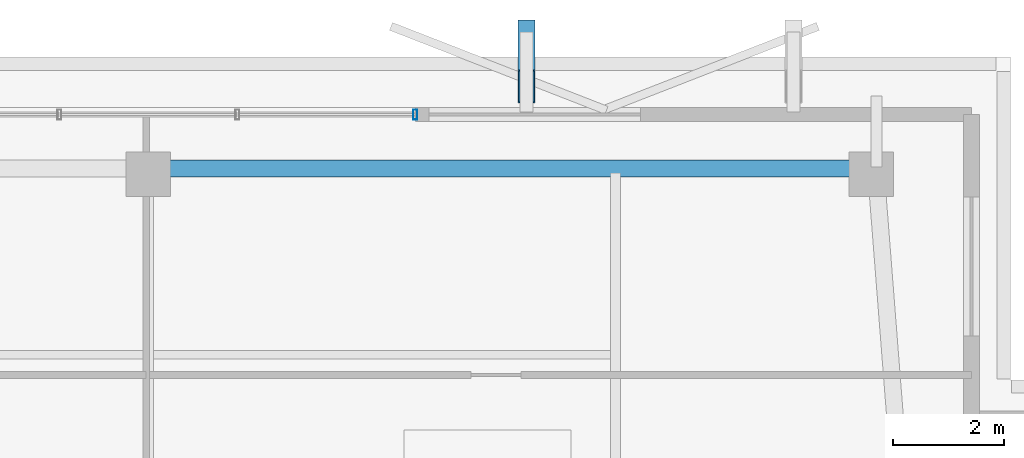
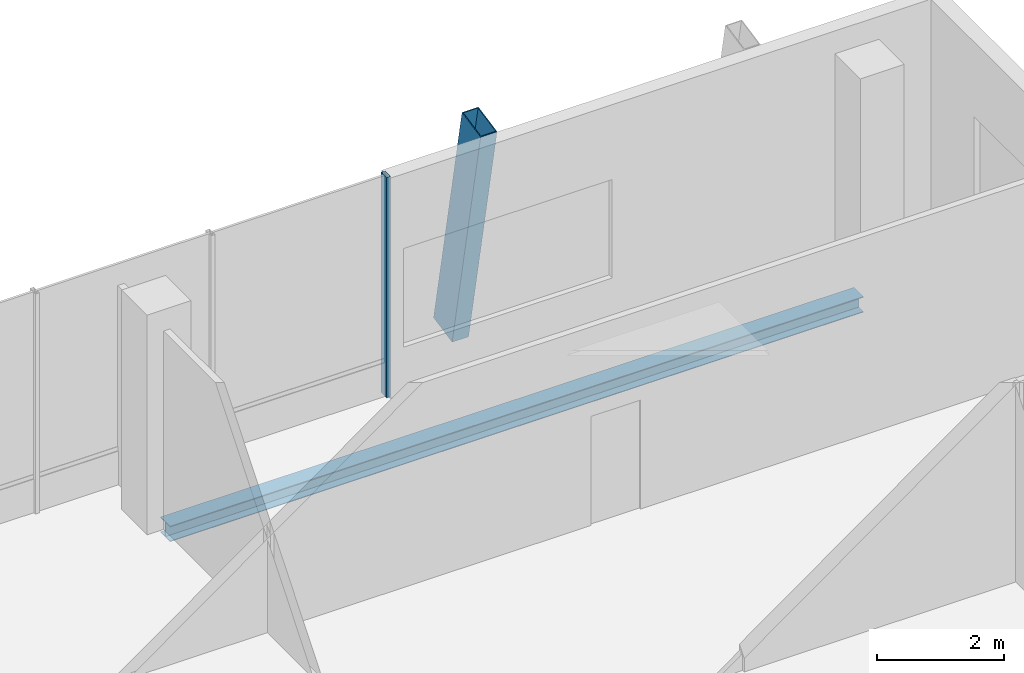
# One storey, part 11 of 17: 2 members, 1 beam, 1 element without a shape of its own.
"""IFC4 building model written with IfcOpenShell, lengths in metres."""

from ifc_helpers import new_model, si_unit, direction, frame, origin, origin_2d, place, context, subcontext, project, spatial, hollow_rectangle, i_section, extrude, material, layer, layer_set, material_profile, profile_set, type_object, element, aggregate, save


model = new_model("IFC4")

# Units and contexts
model_context = context("Model", 3, precision=1e-05, world=origin(), true_north=direction((0.0, 1.0)))
body_context = subcontext(model_context, "Body", "Model", "MODEL_VIEW")
ifc_project = project(units=[si_unit("LENGTHUNIT", "METRE"), si_unit("AREAUNIT", "SQUARE_METRE"), si_unit("VOLUMEUNIT", "CUBIC_METRE"), si_unit("PLANEANGLEUNIT", "RADIAN"), si_unit("MASSUNIT", "GRAM", prefix="KILO")], contexts=[model_context])

# Site, building, storey
site_placement = place(None, origin())
site = spatial("IfcSite", under=ifc_project, at=site_placement, CompositionType="ELEMENT")
building_placement = place(site_placement, origin())
building = spatial("IfcBuilding", under=site, at=building_placement, Name="Belovzor Exchange Tower", CompositionType="ELEMENT")
storey_placement = place(building_placement, frame((0.0, 0.0, 355.5)))
storey = spatial("IfcBuildingStorey", under=building, at=storey_placement, Name="L89", CompositionType="ELEMENT", Elevation=355.5)

# Curtain wall, member
ifc_material_1 = material(Name="Anodised Aluminium Framing", Category="aluminium")
ifc_layer = layer(ifc_material_1, 0.169921875)
ifc_layer_set = layer_set([ifc_layer], Name="Anodised Aluminium Framing")
curtain_wall_type = type_object("IfcCurtainWallType", Name="Stepped Crown Faceted Lantern Curtain Wall", PredefinedType="NOTDEFINED", material=ifc_layer_set)
curtain_wall_placement = place(storey_placement, origin())
curtain_wall = element("IfcCurtainWall", 1, at=curtain_wall_placement, inside=storey, type_object=curtain_wall_type, Name="CW6 Stepped Crown Faceted Lantern Curtain Wall L89", PredefinedType="NOTDEFINED")
ifc_material_2 = material(Name="Steel S355", Category="steel")
ifc_material_profile_1 = material_profile(ifc_material_2, hollow_rectangle(XDim=0.074951171875, YDim=0.179931640625, WallThickness=0.0048828125, at=origin_2d()))
ifc_profile_set_1 = profile_set([ifc_material_profile_1], Name="Steel S355")
member_type_1 = type_object("IfcMemberType", Name="Thermally Broken Curtain Wall Mullion 180x75", PredefinedType="MULLION", material=ifc_profile_set_1)
member_1_placement = place(storey_placement, frame((33.60009765625, 49.070068359375, 0.0), z_axis=(0.0, 0.0, 1.0), x_axis=(1.0, 0.0, 0.0)))
member_1 = element("IfcMember", 2, at=member_1_placement, type_object=member_type_1, Name="CW-M180 Curtain Wall Mullion 4", PredefinedType="MULLION", context=body_context, shape_type="SweptSolid", body=[
    extrude(hollow_rectangle(XDim=0.074951171875, YDim=0.179931640625, WallThickness=0.0048828125, at=origin_2d()), origin(), (0.0, 0.0, 1.0), 4.239990234375),
])
aggregate(curtain_wall, [member_1])

# Member
ifc_material_3 = material(Name="Extruded Architectural Terracotta on Steel S355 Carrier", Category="masonry")
ifc_material_profile_2 = material_profile(ifc_material_3, hollow_rectangle(XDim=0.300048828125, YDim=0.60009765625, WallThickness=0.01611328125, at=origin_2d()))
ifc_profile_set_2 = profile_set([ifc_material_profile_2], Name="Extruded Architectural Terracotta on Steel S355 Carrier")
member_type_2 = type_object("IfcMemberType", Name="Upper Crown Terracotta Fin Assembly 550", PredefinedType="USERDEFINED", material=ifc_profile_set_2)
member_2_placement = place(storey_placement, frame((35.60009765625, 50.47509765625, -0.260009765625), z_axis=(0.0, -0.196146827104, 0.980574536798), x_axis=(1.0, 0.0, 0.0)))
element("IfcMember", 3, at=member_2_placement, inside=storey, type_object=member_type_2, Name="FIN-TC055 Terracotta Facade Fin L89 N3", ObjectType="FIN", PredefinedType="USERDEFINED", context=body_context, shape_type="SweptSolid", body=[
    extrude(hollow_rectangle(XDim=0.300048828125, YDim=0.60009765625, WallThickness=0.01611328125, at=origin_2d()), origin(), (0.0, 0.0, 1.0), 4.589111328125),
])

# Beam
ifc_material_4 = material(Name="Steel S355", Category="steel")
ifc_material_profile_3 = material_profile(ifc_material_4, i_section(OverallWidth=0.300048828125, OverallDepth=0.300048828125, WebThickness=0.008544921875, FlangeThickness=0.013916015625, at=origin_2d()))
ifc_profile_set_3 = profile_set([ifc_material_profile_3], Name="Steel S355")
beam_type = type_object("IfcBeamType", Name="Zone 6 Primary Girder HEA 300", PredefinedType="BEAM", material=ifc_profile_set_3)
beam_placement = place(storey_placement, frame((41.656982421875, 48.097900390625, -0.409912109375), z_axis=(-1.0, 0.0, 0.0), x_axis=(0.0, -1.0, 0.0)))
element("IfcBeam", 4, at=beam_placement, inside=storey, type_object=beam_type, Name="FG-Z6 Zone 6 Primary Girder HEA 300", PredefinedType="BEAM", context=body_context, shape_type="SweptSolid", body=[
    extrude(i_section(OverallWidth=0.300048828125, OverallDepth=0.300048828125, WebThickness=0.008544921875, FlangeThickness=0.013916015625, at=origin_2d()), origin(), (0.0, 0.0, 1.0), 12.636962890625),
])

save(model, "model.ifc")
